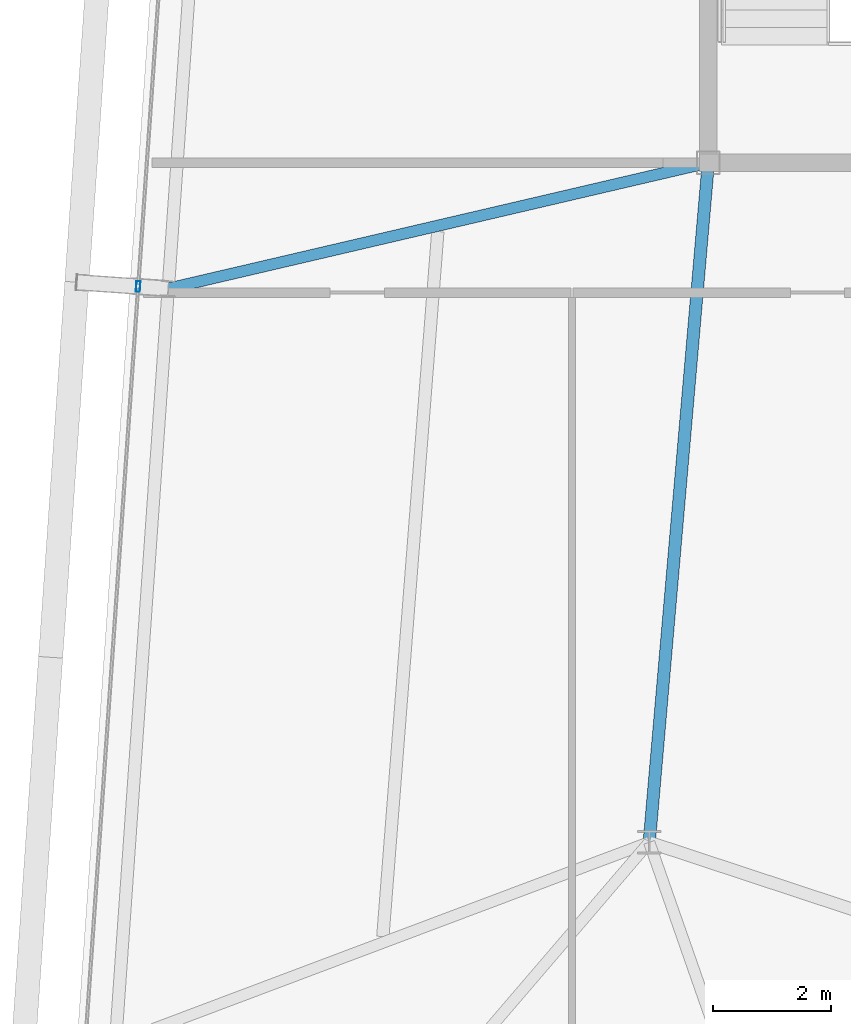
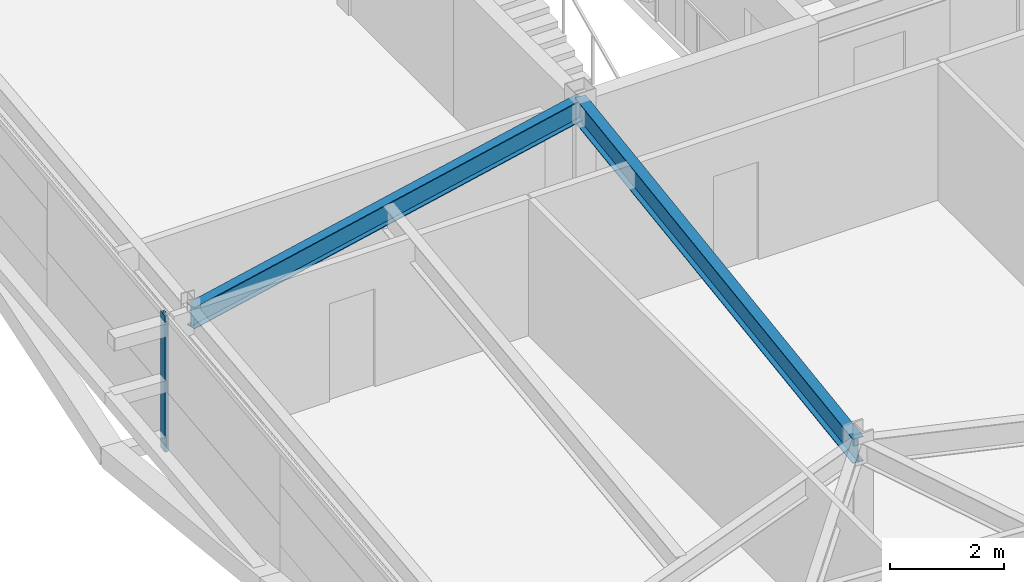
# One storey, part 11 of 39: 2 beams, 1 member, 1 element without a shape of its own.
"""IFC4 building model written with IfcOpenShell, lengths in metres."""

from ifc_helpers import new_model, si_unit, direction, frame, origin, origin_2d, place, context, subcontext, project, spatial, hollow_rectangle, i_section, extrude, source, transform, mapped, material, layer, layer_set, material_profile, profile_set, type_object, element, aggregate, save


model = new_model("IFC4")

# Units and contexts
model_context = context("Model", 3, precision=1e-05, world=origin(), true_north=direction((0.0, 1.0)))
body_context = subcontext(model_context, "Body", "Model", "MODEL_VIEW")
ifc_project = project(units=[si_unit("LENGTHUNIT", "METRE"), si_unit("AREAUNIT", "SQUARE_METRE"), si_unit("VOLUMEUNIT", "CUBIC_METRE"), si_unit("PLANEANGLEUNIT", "RADIAN"), si_unit("MASSUNIT", "GRAM", prefix="KILO")], contexts=[model_context])

# Site, building, storey
site_placement = place(None, origin())
site = spatial("IfcSite", under=ifc_project, at=site_placement, CompositionType="ELEMENT")
building_placement = place(site_placement, origin())
building = spatial("IfcBuilding", under=site, at=building_placement, Name="Taldren Reach Tower", CompositionType="ELEMENT")
storey_placement = place(building_placement, frame((0.0, 0.0, 148.75)))
storey = spatial("IfcBuildingStorey", under=building, at=storey_placement, Name="L45", CompositionType="ELEMENT", Elevation=148.75)

# Beams
ifc_material_1 = material(Name="Steel Gr 350 (350PLUS)", Category="steel")
ifc_material_profile_1 = material_profile(ifc_material_1, i_section(OverallWidth=0.208984375, OverallDepth=0.532958984375, WebThickness=0.01025390625, FlangeThickness=0.015625, at=origin_2d()), Name="530UB92.4")
ifc_profile_set_1 = profile_set([ifc_material_profile_1], Name="Steel Gr 350 (350PLUS)")
beam_type_1 = type_object("IfcBeamType", Name="BM-UB530A", PredefinedType="BEAM", material=ifc_profile_set_1)
shared_shape_1 = source(origin(), body_context, "Body", "SweptSolid", [
    extrude(i_section(OverallWidth=0.208984375, OverallDepth=0.532958984375, WebThickness=0.01025390625, FlangeThickness=0.015625, at=origin_2d()), origin(), (0.0, 0.0, 1.0), 11.54345703125),
])
beam_1_placement = place(storey_placement, frame((19.0, 24.0, 2.66357421875), z_axis=(-0.086629616365, -0.996240588196, 0.0), x_axis=(0.996240588196, -0.086629616365, 0.0)))
element("IfcBeam", 1, at=beam_1_placement, inside=storey, type_object=beam_type_1, Name="Core-spine girder L45-SP09", PredefinedType="BEAM", context=body_context, shape_type="MappedRepresentation", body=[
    mapped(shared_shape_1, transform((0.0, 0.0, 0.0), scale=1.0)),
])
ifc_material_profile_2 = material_profile(ifc_material_1, i_section(OverallWidth=0.19091796875, OverallDepth=0.4599609375, WebThickness=0.010009765625, FlangeThickness=0.01611328125, at=origin_2d()), Name="460UB82.1")
ifc_profile_set_2 = profile_set([ifc_material_profile_2], Name="Steel Gr 350 (350PLUS)")
beam_type_2 = type_object("IfcBeamType", Name="BM-UB460A", PredefinedType="BEAM", material=ifc_profile_set_2)
shared_shape_2 = source(origin(), body_context, "Body", "SweptSolid", [
    extrude(i_section(OverallWidth=0.19091796875, OverallDepth=0.4599609375, WebThickness=0.010009765625, FlangeThickness=0.01611328125, at=origin_2d()), origin(), (0.0, 0.0, 1.0), 9.383544921875),
])
beam_2_placement = place(storey_placement, frame((19.0, 24.0, 2.699951171875), z_axis=(-0.973856560651, -0.227163815951, 0.0), x_axis=(0.227163815951, -0.973856560651, 0.0)))
element("IfcBeam", 2, at=beam_2_placement, inside=storey, type_object=beam_type_2, Name="Primary floor girder B3-W2 L45", PredefinedType="BEAM", context=body_context, shape_type="MappedRepresentation", body=[
    mapped(shared_shape_2, transform((0.0, 0.0, 0.0), scale=1.0)),
])

# Curtain wall, member
ifc_material_2 = material(Name="Aluminium and Low-E Glass Unitised System", Category="aluminium")
ifc_layer = layer(ifc_material_2, 0.159912109375)
ifc_layer_set = layer_set([ifc_layer], Name="Aluminium and Low-E Glass Unitised System")
curtain_wall_type = type_object("IfcCurtainWallType", Name="CW-SYS-4", PredefinedType="NOTDEFINED", material=ifc_layer_set)
curtain_wall_placement = place(storey_placement, origin())
curtain_wall = element("IfcCurtainWall", 3, at=curtain_wall_placement, inside=storey, type_object=curtain_wall_type, Name="Unitised curtain wall CW-L45-W", PredefinedType="NOTDEFINED")
ifc_material_3 = material(Name="Anodised Aluminium 6063-T6", Category="aluminium")
ifc_material_profile_3 = material_profile(ifc_material_3, hollow_rectangle(XDim=0.070068359375, YDim=0.179931640625, WallThickness=0.00390625, at=origin_2d()), Name="ALU-180x70x4RHS")
ifc_profile_set_3 = profile_set([ifc_material_profile_3], Name="Anodised Aluminium 6063-T6")
member_type = type_object("IfcMemberType", Name="CW-MUL-180", PredefinedType="MULLION", material=ifc_profile_set_3)
shared_shape_3 = source(origin(), body_context, "Body", "SweptSolid", [
    extrude(hollow_rectangle(XDim=0.070068359375, YDim=0.179931640625, WallThickness=0.00390625, at=origin_2d()), origin(), (0.0, 0.0, 1.0), 2.929931640625),
])
member_placement = place(storey_placement, frame((9.35302734375, 21.90380859375, 0.0), z_axis=(0.0, 0.0, 1.0), x_axis=(0.997564052812, -0.069756437251, 0.0)))
member = element("IfcMember", 4, at=member_placement, type_object=member_type, Name="CW-4 mullion 2", PredefinedType="MULLION", context=body_context, shape_type="MappedRepresentation", body=[
    mapped(shared_shape_3, transform((0.0, 0.0, 0.0), scale=1.0)),
])
aggregate(curtain_wall, [member])

save(model, "model.ifc")
